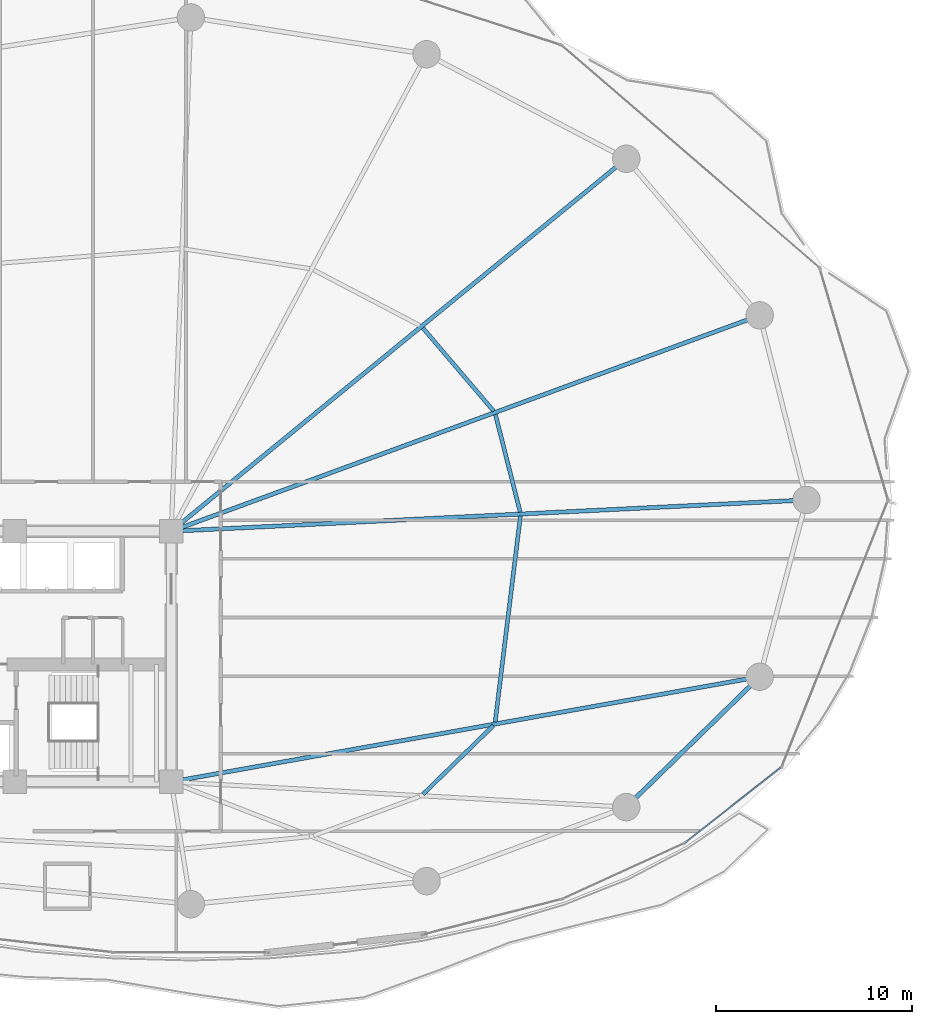
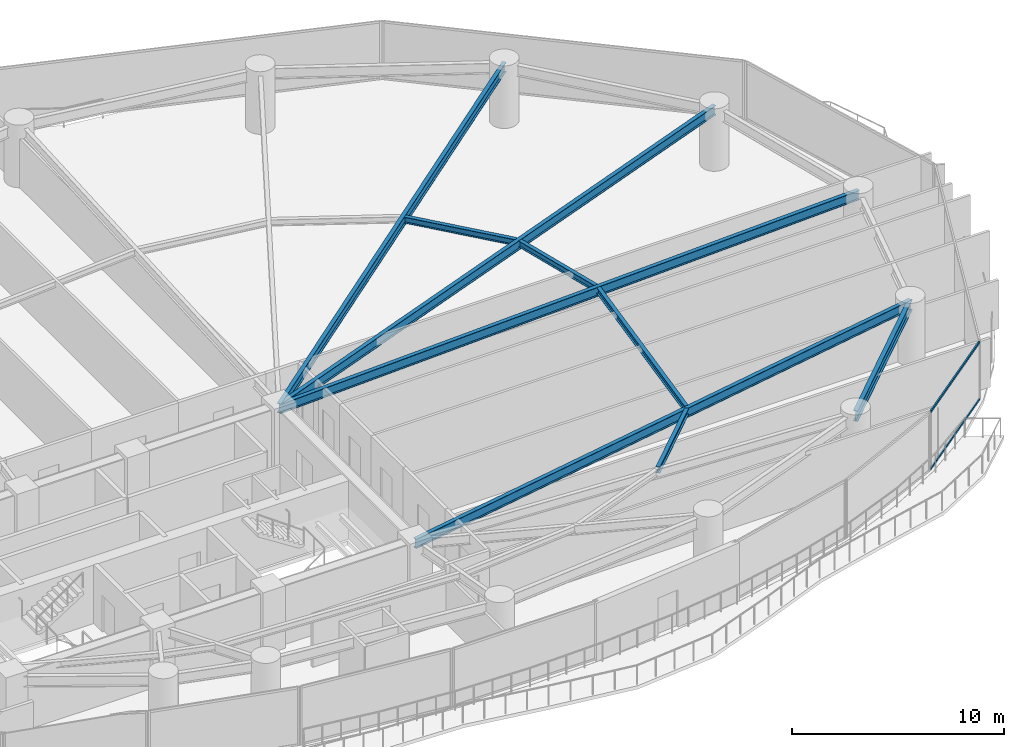
# One storey, part 14 of 33: 9 beams, 2 members, 1 element without a shape of its own.
"""IFC4 building model written with IfcOpenShell, lengths in metres."""

from ifc_helpers import new_model, si_unit, direction, frame, origin, origin_2d, place, context, subcontext, project, spatial, hollow_rectangle, i_section, extrude, material, layer, layer_set, material_profile, profile_set, type_object, element, aggregate, save


model = new_model("IFC4")

# Units and contexts
model_context = context("Model", 3, precision=1e-05, world=origin(), true_north=direction((0.0, 1.0)))
body_context = subcontext(model_context, "Body", "Model", "MODEL_VIEW")
ifc_project = project(units=[si_unit("LENGTHUNIT", "METRE"), si_unit("AREAUNIT", "SQUARE_METRE"), si_unit("VOLUMEUNIT", "CUBIC_METRE"), si_unit("PLANEANGLEUNIT", "RADIAN"), si_unit("MASSUNIT", "GRAM", prefix="KILO")], contexts=[model_context])

# Site, building, storey
site_placement = place(None, origin())
site = spatial("IfcSite", under=ifc_project, at=site_placement, CompositionType="ELEMENT")
building_placement = place(site_placement, origin())
building = spatial("IfcBuilding", under=site, at=building_placement, Name="Kazevale Care Tower and Concert Hall", CompositionType="ELEMENT")
storey_placement = place(building_placement, frame((0.0, 0.0, 49.199951171875)))
storey = spatial("IfcBuildingStorey", under=building, at=storey_placement, Name="L12", CompositionType="ELEMENT", Elevation=49.199951171875)

# Curtain wall, members
ifc_material_1 = material(Name="Aluminium 6063-T6 and Low-E Glass", Category="aluminium")
ifc_layer = layer(ifc_material_1, 0.179931640625)
ifc_layer_set = layer_set([ifc_layer], Name="Aluminium 6063-T6 and Low-E Glass")
curtain_wall_type = type_object("IfcCurtainWallType", Name="Sheltered Concave Balcony Curtain Wall CW-5", PredefinedType="NOTDEFINED", material=ifc_layer_set)
curtain_wall_placement = place(storey_placement, origin())
curtain_wall = element("IfcCurtainWall", 1, at=curtain_wall_placement, inside=storey, type_object=curtain_wall_type, Name="cw:L12:f02", PredefinedType="NOTDEFINED")
ifc_material_2 = material(Name="Aluminium 6063-T6", Category="aluminium")
ifc_material_profile_1 = material_profile(ifc_material_2, hollow_rectangle(XDim=0.074951171875, YDim=0.1201171875, WallThickness=0.00390625, at=origin_2d()), Name="ALU75x120x4")
ifc_profile_set_1 = profile_set([ifc_material_profile_1], Name="Aluminium 6063-T6")
member_type = type_object("IfcMemberType", Name="CW-5 Transom ALU75x120x4", PredefinedType="USERDEFINED", material=ifc_profile_set_1)
member_1_placement = place(storey_placement, frame((75.123046875, 24.317626953125, 0.03759765625), z_axis=(-0.78633897536, -0.617795286344, 0.0), x_axis=(0.617795286344, -0.78633897536, 0.0)))
member_1 = element("IfcMember", 2, at=member_1_placement, type_object=member_type, Name="CW-5 transom 1.1", ObjectType="TRANSOM", PredefinedType="USERDEFINED", context=body_context, shape_type="SweptSolid", body=[
    extrude(hollow_rectangle(XDim=0.074951171875, YDim=0.1201171875, WallThickness=0.00390625, at=origin_2d()), origin(), (0.0, 0.0, 1.0), 6.15771484375),
])
member_2_placement = place(storey_placement, frame((75.123046875, 24.317626953125, 3.322509765625), z_axis=(-0.78633897536, -0.617795286344, 0.0), x_axis=(0.617795286344, -0.78633897536, 0.0)))
member_2 = element("IfcMember", 3, at=member_2_placement, type_object=member_type, Name="CW-5 transom 1.2", ObjectType="TRANSOM", PredefinedType="USERDEFINED", context=body_context, shape_type="SweptSolid", body=[
    extrude(hollow_rectangle(XDim=0.074951171875, YDim=0.1201171875, WallThickness=0.00390625, at=origin_2d()), origin(), (0.0, 0.0, 1.0), 6.15771484375),
])
aggregate(curtain_wall, [member_1, member_2])

# Beams
ifc_material_3 = material(Name="Steel ASTM A572 Gr 50", Category="steel")
ifc_material_profile_2 = material_profile(ifc_material_3, i_section(OverallWidth=0.2119140625, OverallDepth=0.5439453125, WebThickness=0.01318359375, FlangeThickness=0.021240234375, at=origin_2d()), Name="W530x123")
ifc_profile_set_2 = profile_set([ifc_material_profile_2], Name="Steel ASTM A572 Gr 50")
beam_type_1 = type_object("IfcBeamType", Name="Radial Floor Girder W530x123", PredefinedType="BEAM", material=ifc_profile_set_2)
beam_1_placement = place(storey_placement, frame((44.0, 36.39990234375, 3.088134765625), z_axis=(0.998786488782, 0.049249871327, 0.0), x_axis=(-0.049249871327, 0.998786488782, 0.0)))
element("IfcBeam", 4, at=beam_1_placement, inside=storey, type_object=beam_type_1, Name="beam:L12:rad:01", PredefinedType="BEAM", context=body_context, shape_type="SweptSolid", body=[
    extrude(i_section(OverallWidth=0.2119140625, OverallDepth=0.5439453125, WebThickness=0.01318359375, FlangeThickness=0.021240234375, at=origin_2d()), origin(), (0.0, 0.0, 1.0), 32.4892578125),
])
beam_2_placement = place(storey_placement, frame((44.0, 36.39990234375, 3.088134765625), z_axis=(0.938795458019, 0.34447509054, 0.0), x_axis=(-0.34447509054, 0.938795458019, 0.0)))
element("IfcBeam", 5, at=beam_2_placement, inside=storey, type_object=beam_type_1, Name="beam:L12:rad:02", PredefinedType="BEAM", context=body_context, shape_type="SweptSolid", body=[
    extrude(i_section(OverallWidth=0.2119140625, OverallDepth=0.5439453125, WebThickness=0.01318359375, FlangeThickness=0.021240234375, at=origin_2d()), origin(), (0.0, 0.0, 1.0), 32.019775390625),
])
beam_3_placement = place(storey_placement, frame((44.0, 36.39990234375, 3.088134765625), z_axis=(0.773704467398, 0.633546681097, 0.0), x_axis=(-0.633546681097, 0.773704467398, 0.0)))
element("IfcBeam", 6, at=beam_3_placement, inside=storey, type_object=beam_type_1, Name="beam:L12:rad:03", PredefinedType="BEAM", context=body_context, shape_type="SweptSolid", body=[
    extrude(i_section(OverallWidth=0.2119140625, OverallDepth=0.5439453125, WebThickness=0.01318359375, FlangeThickness=0.021240234375, at=origin_2d()), origin(), (0.0, 0.0, 1.0), 30.037353515625),
])
beam_4_placement = place(storey_placement, frame((44.0, 23.60009765625, 3.088134765625), z_axis=(0.984416208219, 0.175854283415, 0.0), x_axis=(-0.175854283415, 0.984416208219, 0.0)))
element("IfcBeam", 7, at=beam_4_placement, inside=storey, type_object=beam_type_1, Name="beam:L12:rad:16", PredefinedType="BEAM", context=body_context, shape_type="SweptSolid", body=[
    extrude(i_section(OverallWidth=0.2119140625, OverallDepth=0.5439453125, WebThickness=0.01318359375, FlangeThickness=0.021240234375, at=origin_2d()), origin(), (0.0, 0.0, 1.0), 30.535888671875),
])
ifc_material_profile_3 = material_profile(ifc_material_3, i_section(OverallWidth=0.22900390625, OverallDepth=0.612060546875, WebThickness=0.011962890625, FlangeThickness=0.01953125, at=origin_2d()), Name="W610x125")
ifc_profile_set_3 = profile_set([ifc_material_profile_3], Name="Steel ASTM A572 Gr 50")
beam_type_2 = type_object("IfcBeamType", Name="Ring Spandrel Beam W610x125", PredefinedType="SPANDREL", material=ifc_profile_set_3)
beam_5_placement = place(storey_placement, frame((67.239990234375, 22.31005859375, 3.053955078125), z_axis=(0.715457453508, 0.698656304788, 0.0), x_axis=(-0.698656304788, 0.715457453508, 0.0)))
element("IfcBeam", 8, at=beam_5_placement, inside=storey, type_object=beam_type_2, Name="beam:L12:ring:15", PredefinedType="SPANDREL", context=body_context, shape_type="SweptSolid", body=[
    extrude(i_section(OverallWidth=0.22900390625, OverallDepth=0.612060546875, WebThickness=0.011962890625, FlangeThickness=0.01953125, at=origin_2d()), origin(), (0.0, 0.0, 1.0), 9.532470703125),
])
ifc_material_profile_4 = material_profile(ifc_material_3, i_section(OverallWidth=0.205078125, OverallDepth=0.35400390625, WebThickness=0.009521484375, FlangeThickness=0.016845703125, at=origin_2d()), Name="W360x79")
ifc_profile_set_4 = profile_set([ifc_material_profile_4], Name="Steel ASTM A572 Gr 50")
beam_type_3 = type_object("IfcBeamType", Name="Secondary Floor Joist W360x79", PredefinedType="JOIST", material=ifc_profile_set_4)
beam_6_placement = place(storey_placement, frame((61.822021484375, 37.382080078125, 3.18310546875), z_axis=(-0.24568570229, 0.969349542575, 0.0), x_axis=(-0.969349542575, -0.24568570229, 0.0)))
element("IfcBeam", 9, at=beam_6_placement, inside=storey, type_object=beam_type_3, Name="beam:L12:joist:01", PredefinedType="JOIST", context=body_context, shape_type="SweptSolid", body=[
    extrude(i_section(OverallWidth=0.205078125, OverallDepth=0.35400390625, WebThickness=0.009521484375, FlangeThickness=0.016845703125, at=origin_2d()), origin(), (0.0, 0.0, 1.0), 5.140380859375),
])
beam_7_placement = place(storey_placement, frame((60.465087890625, 42.5458984375, 3.18310546875), z_axis=(-0.648685510477, 0.761056573783, 0.0), x_axis=(-0.761056573783, -0.648685510477, 0.0)))
element("IfcBeam", 10, at=beam_7_placement, inside=storey, type_object=beam_type_3, Name="beam:L12:joist:02", PredefinedType="JOIST", context=body_context, shape_type="SweptSolid", body=[
    extrude(i_section(OverallWidth=0.205078125, OverallDepth=0.35400390625, WebThickness=0.009521484375, FlangeThickness=0.016845703125, at=origin_2d()), origin(), (0.0, 0.0, 1.0), 5.57275390625),
])
beam_8_placement = place(storey_placement, frame((56.85693359375, 22.964111328125, 3.18310546875), z_axis=(0.715521089339, 0.698591132717, 0.0), x_axis=(-0.698591132717, 0.715521089339, 0.0)))
element("IfcBeam", 11, at=beam_8_placement, inside=storey, type_object=beam_type_3, Name="beam:L12:joist:15", PredefinedType="JOIST", context=body_context, shape_type="SweptSolid", body=[
    extrude(i_section(OverallWidth=0.205078125, OverallDepth=0.35400390625, WebThickness=0.009521484375, FlangeThickness=0.016845703125, at=origin_2d()), origin(), (0.0, 0.0, 1.0), 5.03271484375),
])
beam_9_placement = place(storey_placement, frame((60.5458984375, 26.657958984375, 3.18310546875), z_axis=(0.1216468088, 0.992573450133, 0.0), x_axis=(-0.992573450133, 0.1216468088, 0.0)))
element("IfcBeam", 12, at=beam_9_placement, inside=storey, type_object=beam_type_3, Name="beam:L12:joist:16", PredefinedType="JOIST", context=body_context, shape_type="SweptSolid", body=[
    extrude(i_section(OverallWidth=0.205078125, OverallDepth=0.35400390625, WebThickness=0.009521484375, FlangeThickness=0.016845703125, at=origin_2d()), origin(), (0.0, 0.0, 1.0), 10.5966796875),
])

save(model, "model.ifc")
